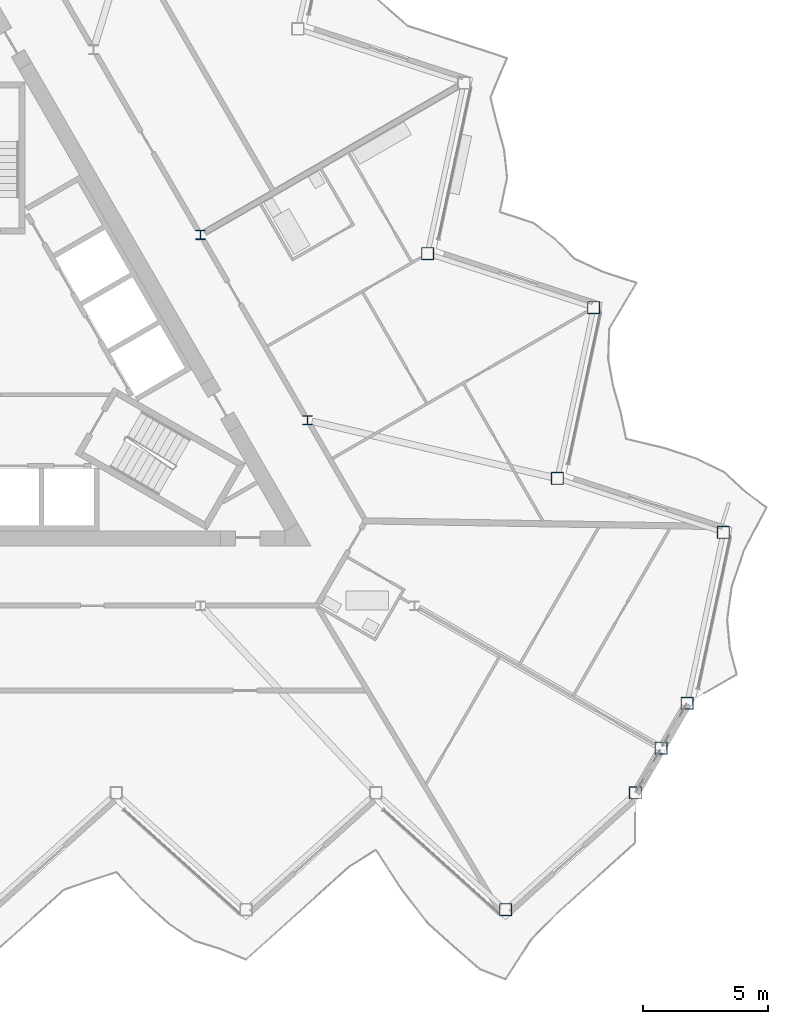
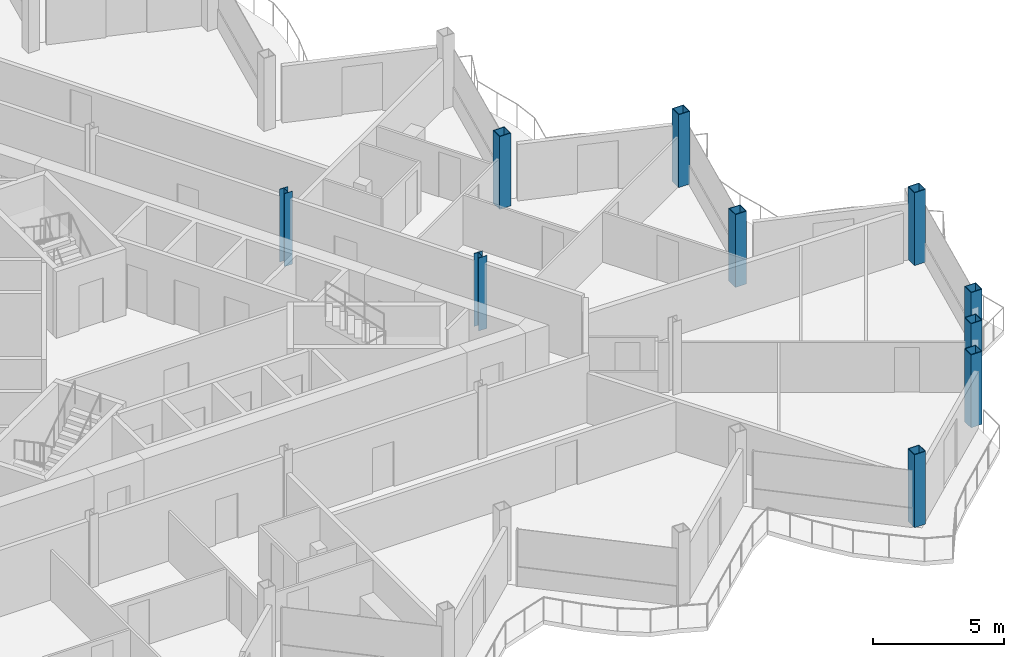
# One storey, part 2 of 26: 10 columns.
"""IFC4 building model written with IfcOpenShell, lengths in metres."""

from ifc_helpers import new_model, si_unit, direction, frame, origin, origin_2d, place, context, subcontext, project, spatial, hollow_rectangle, i_section, extrude, material, material_profile, profile_set, type_object, element, save


model = new_model("IFC4")

# Units and contexts
model_context = context("Model", 3, precision=1e-05, world=origin(), true_north=direction((0.0, 1.0)))
body_context = subcontext(model_context, "Body", "Model", "MODEL_VIEW")
ifc_project = project(units=[si_unit("LENGTHUNIT", "METRE"), si_unit("AREAUNIT", "SQUARE_METRE"), si_unit("VOLUMEUNIT", "CUBIC_METRE"), si_unit("PLANEANGLEUNIT", "RADIAN"), si_unit("MASSUNIT", "GRAM", prefix="KILO")], contexts=[model_context])

# Site, building, storey
site_placement = place(None, origin())
site = spatial("IfcSite", under=ifc_project, at=site_placement, CompositionType="ELEMENT")
building_placement = place(site_placement, origin())
building = spatial("IfcBuilding", under=site, at=building_placement, Name="Cormorant Prow Tower", CompositionType="ELEMENT")
storey_placement = place(building_placement, frame((0.0, 0.0, 381.39990234375)))
storey = spatial("IfcBuildingStorey", under=building, at=storey_placement, Name="L86", CompositionType="ELEMENT", Elevation=381.39990234375)

# Columns
ifc_material_1 = material(Name="Structural steel ASTM A572 Gr 50", Category="steel")
ifc_material_profile_1 = material_profile(ifc_material_1, hollow_rectangle(XDim=0.5, YDim=0.5, WallThickness=0.030029296875, at=origin_2d()), Name="Box 500x500x30")
ifc_profile_set_1 = profile_set([ifc_material_profile_1], Name="Structural steel ASTM A572 Gr 50")
column_type_1 = type_object("IfcColumnType", Name="Perimeter box column 500x500x30", PredefinedType="COLUMN", material=ifc_profile_set_1)
for number, where, z_axis, x_axis, name in (
    (1, (20.800048828125, -22.087890625, 0.0), (0.0, 0.0, 1.0), (1.0, 0.0, 0.0), "Perimeter column C7 at S09 L86"),
    (2, (26.0, -17.40576171875, 0.0), (0.0, 0.0, 1.0), (1.0, 0.0, 0.0), "Perimeter column C7 at ESE00 L86"),
    (3, (27.036865234375, -15.60986328125, 0.0), (0.0, 0.0, 1.0), (1.0, 0.0, 0.0), "Perimeter column C7 at ESE01 L86"),
    (4, (28.07373046875, -13.813720703125, 0.0), (0.0, 0.0, 1.0), (1.0, 0.0, 0.0), "Perimeter column C7 at ENE00 L86"),
    (5, (29.528564453125, -6.969482421875, 0.0), (0.0, 0.0, 1.0), (1.0, 0.0, 0.0), "Perimeter column C7 at ENE01 L86"),
    (6, (22.873779296875, -4.80712890625, 0.0), (0.0, 0.0, 1.0), (1.0, 0.0, 0.0), "Perimeter column C7 at ENE02 L86"),
    (7, (24.32861328125, 2.037353515625, 0.0), (0.0, 0.0, 1.0), (1.0, 0.0, 0.0), "Perimeter column C7 at ENE03 L86"),
    (8, (17.673828125, 4.199462890625, 0.0), (0.0, 0.0, 1.0), (1.0, 0.0, 0.0), "Perimeter column C7 at ENE04 L86"),
):
    element("IfcColumn", number, at=place(storey_placement, frame(where, z_axis=z_axis, x_axis=x_axis)), inside=storey, type_object=column_type_1, Name=name, PredefinedType="COLUMN", context=body_context, shape_type="SweptSolid", body=[
        extrude(hollow_rectangle(XDim=0.5, YDim=0.5, WallThickness=0.030029296875, at=origin_2d()), origin(), (0.0, 0.0, 1.0), 3.400146484375),
    ])
ifc_material_2 = material(Name="Structural steel ASTM A992 Gr 50", Category="steel")
ifc_material_profile_2 = material_profile(ifc_material_2, i_section(OverallWidth=0.3740234375, OverallDepth=0.372314453125, WebThickness=0.016357421875, FlangeThickness=0.026123046875, at=origin_2d()), Name="W14x132")
ifc_profile_set_2 = profile_set([ifc_material_profile_2], Name="Structural steel ASTM A992 Gr 50")
column_type_2 = type_object("IfcColumnType", Name="Ring column W14x132", PredefinedType="COLUMN", material=ifc_profile_set_2)
for number, where, z_axis, x_axis, name in (
    (9, (12.86767578125, -2.476318359375, 0.0), (0.0, 0.0, 1.0), (1.0, 0.0, 0.0), "Ring column 10 L86"),
    (10, (8.578369140625, 4.952880859375, 0.0), (0.0, 0.0, 1.0), (1.0, 0.0, 0.0), "Ring column 11 L86"),
):
    element("IfcColumn", number, at=place(storey_placement, frame(where, z_axis=z_axis, x_axis=x_axis)), inside=storey, type_object=column_type_2, Name=name, PredefinedType="COLUMN", context=body_context, shape_type="SweptSolid", body=[
        extrude(i_section(OverallWidth=0.3740234375, OverallDepth=0.372314453125, WebThickness=0.016357421875, FlangeThickness=0.026123046875, at=origin_2d()), origin(), (0.0, 0.0, 1.0), 3.400146484375),
    ])

save(model, "model.ifc")
